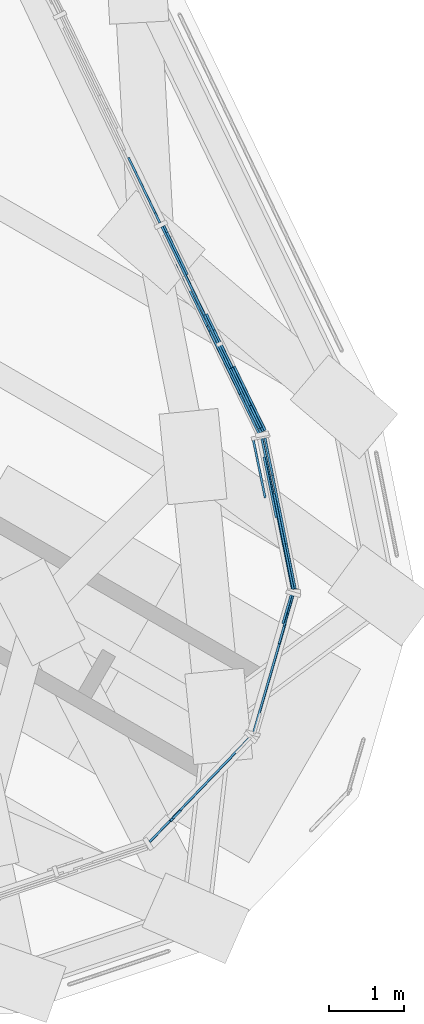
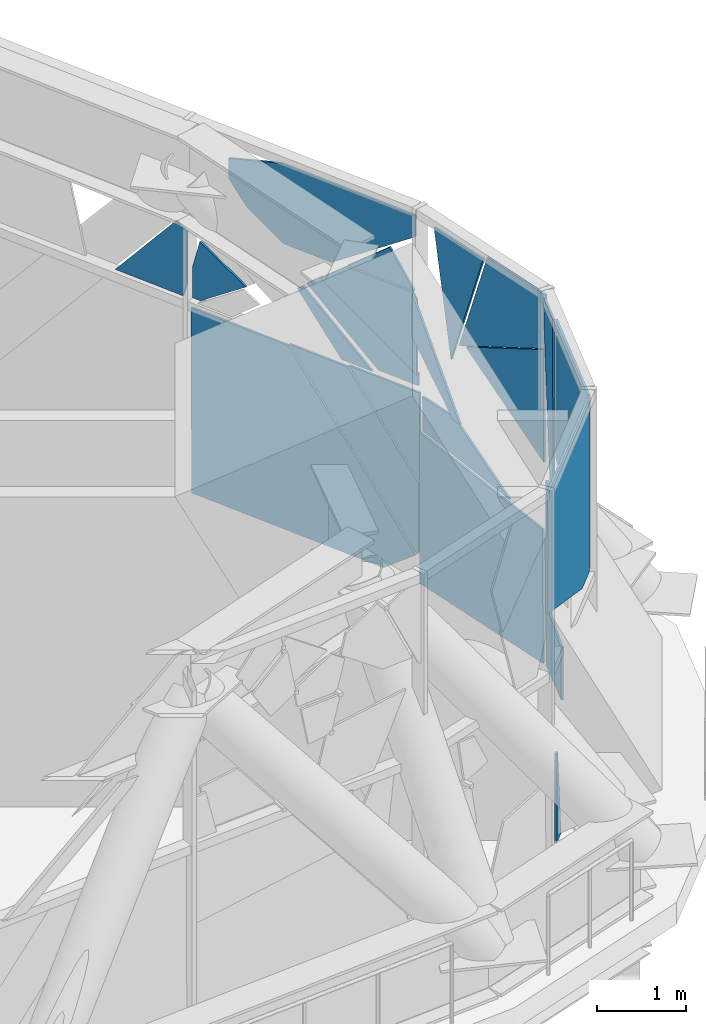
# One storey, part 21 of 43: 22 plates, 2 elements without a shape of their own.
"""IFC4 building model written with IfcOpenShell, lengths in metres."""

from ifc_helpers import new_model, si_unit, direction, frame, origin, place, context, subcontext, project, spatial, polyline, outline, extrude, material, layer, layer_set, type_object, element, aggregate, save


model = new_model("IFC4")

# Units and contexts
model_context = context("Model", 3, precision=1e-05, world=origin(), true_north=direction((0.0, 1.0)))
body_context = subcontext(model_context, "Body", "Model", "MODEL_VIEW")
ifc_project = project(units=[si_unit("LENGTHUNIT", "METRE"), si_unit("AREAUNIT", "SQUARE_METRE"), si_unit("VOLUMEUNIT", "CUBIC_METRE"), si_unit("PLANEANGLEUNIT", "RADIAN"), si_unit("MASSUNIT", "GRAM", prefix="KILO")], contexts=[model_context])

# Site, building, storey
site_placement = place(None, origin())
site = spatial("IfcSite", under=ifc_project, at=site_placement, CompositionType="ELEMENT")
building_placement = place(site_placement, origin())
building = spatial("IfcBuilding", under=site, at=building_placement, Name="Mestral Congress Tower", CompositionType="ELEMENT")
storey_placement = place(building_placement, frame((0.0, 0.0, 78.300048828125)))
storey = spatial("IfcBuildingStorey", under=building, at=storey_placement, Name="L18", CompositionType="ELEMENT", Elevation=78.300048828125)

# Curtain wall, plates
ifc_material_1 = material(Name="Clear low-emissivity double glazing", Category="glass")
curtain_wall_type = type_object("IfcCurtainWallType", Name="Facade refuge band screen", PredefinedType="USERDEFINED", material=ifc_material_1)
placement = place(storey_placement, origin())
curtain_wall_1 = element("IfcCurtainWall", 1, at=placement, inside=storey, type_object=curtain_wall_type, Name="Facade refuge band screen face 2", ObjectType="CURTAIN WALL", PredefinedType="USERDEFINED")
ifc_material_2 = material(Name="Anodised aluminium", Category="aluminium")
ifc_layer_1 = layer(ifc_material_2, 0.028076171875)
ifc_layer_set_1 = layer_set([ifc_layer_1], Name="Anodised aluminium")
plate_type_1 = type_object("IfcPlateType", Name="Facade refuge band screen brace cover panel", PredefinedType="CURTAIN_PANEL", material=ifc_layer_set_1)
plate_1_placement = place(storey_placement, frame((31.370849609375, -12.796142578125, 2.5400390625), z_axis=(0.900614100847, 0.434614930329, 0.00202575677), x_axis=(0.270362982994, -0.556587756947, -0.785565991017)))
plate_1 = element("IfcPlate", 2, at=plate_1_placement, type_object=plate_type_1, Name="Facade refuge band screen brace cover panel", PredefinedType="CURTAIN_PANEL", context=body_context, shape_type="SweptSolid", body=[
    extrude(outline(polyline([(0.0, 0.0), (2.7954940575134257, 0.0), (2.795541072700712, -0.023733107705538936), (2.038057709817049, -0.620561641929658), (0.48864025636645086, -0.6203536331985541), (0.0, 0.0)])), origin(), (0.0, 0.0, -1.0), 0.028076171875),
])
plate_2_placement = place(storey_placement, frame((30.72509765625, -11.527587890625, 2.659912109375), z_axis=(0.900653975974, 0.434532598028, 0.00195877856), x_axis=(0.106030847418, -0.224136728928, 0.968772515166)))
plate_2 = element("IfcPlate", 3, at=plate_2_placement, type_object=plate_type_1, Name="Facade refuge band screen brace cover panel", PredefinedType="CURTAIN_PANEL", context=body_context, shape_type="SweptSolid", body=[
    extrude(outline(polyline([(0.0, 0.0), (0.1990883694465336, 1.3877787807814457e-17), (0.8840208213853891, -0.17539226869385943), (0.9330294446731628, -0.3413363772013345), (-0.22866596759639354, -0.8934519051995632), (0.0, 0.0)])), origin(), (0.0, 0.0, -1.0), 0.028076171875),
])

curtain_wall_2 = element("IfcCurtainWall", 4, at=placement, inside=storey, type_object=curtain_wall_type, Name="Facade refuge band screen corner 1", ObjectType="CURTAIN WALL", PredefinedType="USERDEFINED")
plate_3_placement = place(storey_placement, frame((30.881103515625, -19.619140625, 0.0), z_axis=(0.721189819839, -0.692734711301, 0.001965583924), x_axis=(0.003051765926, 0.006014483855, 0.999977256096)))
plate_3 = element("IfcPlate", 5, at=plate_3_placement, type_object=plate_type_1, Name="Facade refuge band screen brace cover panel", PredefinedType="CURTAIN_PANEL", context=body_context, shape_type="SweptSolid", body=[
    extrude(outline(polyline([(0.0, 0.0), (1.2119417261385765, 1.734723475976807e-18), (1.2122346017833838, -0.04540983994991307), (0.0013123959317952255, -0.20340021420830895), (0.0, 0.0)])), origin(), (0.0, 0.0, -1.0), 0.028076171875),
])
plate_4_placement = place(storey_placement, frame((31.954833984375, -18.4853515625, 5.030029296875), z_axis=(0.721659714828, -0.69224515065, 0.001976713572), x_axis=(0.001448612169, -0.001345339384, -0.99999804579)))
plate_4 = element("IfcPlate", 6, at=plate_4_placement, type_object=plate_type_1, Name="Facade refuge band screen brace cover panel", PredefinedType="CURTAIN_PANEL", context=body_context, shape_type="SweptSolid", body=[
    extrude(outline(polyline([(0.0, 0.0), (2.370121776981465, -4.472333961502706e-19), (2.370110535374664, -0.3501757912437114), (1.629335446386395, -1.9523360574497166), (-6.239340404271551e-05, -1.9523884247782881), (0.0, 0.0)])), origin(), (0.0, 0.0, -1.0), 0.028076171875),
])
plate_5_placement = place(storey_placement, frame((32.540283203125, -16.558837890625, 0.0), z_axis=(0.960307295236, -0.278936140608, 0.002127951713), x_axis=(-0.278936772044, -0.960309469495, -5.0359e-08)))
plate_5 = element("IfcPlate", 7, at=plate_5_placement, type_object=plate_type_1, Name="Facade refuge band screen brace cover panel", PredefinedType="CURTAIN_PANEL", context=body_context, shape_type="SweptSolid", body=[
    extrude(outline(polyline([(0.0, 0.0), (0.6993852127548246, 1.0842021724855044e-19), (0.6993248743121645, -0.717286815470427), (7.755023457432976e-06, -0.8430194515785678), (0.0, 0.0)])), origin(), (0.0, 0.0, -1.0), 0.028076171875),
])
plate_6_placement = place(storey_placement, frame((32.535400390625, -16.5576171875, 2.5400390625), z_axis=(0.960347124551, -0.278800164999, 0.00196681545), x_axis=(0.001922610601, -0.000431987082, -0.999998058476)))
plate_6 = element("IfcPlate", 8, at=plate_6_placement, type_object=plate_type_1, Name="Facade refuge band screen brace cover panel", PredefinedType="CURTAIN_PANEL", context=body_context, shape_type="SweptSolid", body=[
    extrude(outline(polyline([(0.0, 0.0), (1.1857931488005824, -8.131516293641283e-20), (1.3820281304560522, -0.45087433112174785), (-3.408633164509402e-05, -0.27992198390823203), (0.0, 0.0)])), origin(), (0.0, 0.0, -1.0), 0.028076171875),
])
plate_7_placement = place(storey_placement, frame((32.51318359375, -16.551025390625, 5.030029296875), z_axis=(0.960382200774, -0.278679164733, 0.001987858345), x_axis=(0.00178924132, -0.000967057289, -0.999997931706)))
plate_7 = element("IfcPlate", 9, at=plate_7_placement, type_object=plate_type_1, Name="Facade refuge band screen brace cover panel", PredefinedType="CURTAIN_PANEL", context=body_context, shape_type="SweptSolid", body=[
    extrude(outline(polyline([(0.0, 0.0), (0.2287604022334422, 0.0), (2.3702356573492804, -0.2640263303392333), (2.3702971416903584, -0.40688780559538096), (0.00018184445739221928, -0.42248091647076175), (0.0, 0.0)])), origin(), (0.0, 0.0, -1.0), 0.028076171875),
])
plate_8_placement = place(storey_placement, frame((32.42431640625, -16.965087890625, 5.030029296875), z_axis=(0.960350738449, -0.27878768683, 0.001970997722), x_axis=(0.003613656519, 0.005378362935, -0.999979007129)))
plate_8 = element("IfcPlate", 10, at=plate_8_placement, type_object=plate_type_1, Name="Facade refuge band screen brace cover panel", PredefinedType="CURTAIN_PANEL", context=body_context, shape_type="SweptSolid", body=[
    extrude(outline(polyline([(0.0, 0.0), (1.9040926148009958, 0.0), (2.3619709133706057, -1.3278050870489533), (2.3606320631751956, -1.5446760158553452), (-0.009443370625600564, -1.5298646548404253), (0.0, 0.0)])), origin(), (0.0, 0.0, -1.0), 0.028076171875),
])
plate_9_placement = place(storey_placement, frame((32.11328125, -14.44580078125, 0.0), z_axis=(0.98018636799, 0.198067026029, 0.002034012242), x_axis=(0.198067435762, -0.980188395611, -4.639e-09)))
plate_9 = element("IfcPlate", 11, at=plate_9_placement, type_object=plate_type_1, Name="Facade refuge band screen brace cover panel", PredefinedType="CURTAIN_PANEL", context=body_context, shape_type="SweptSolid", body=[
    extrude(outline(polyline([(0.0, 0.0), (2.090489154154378, -1.0842021724855044e-19), (2.0904817124560937, -1.8337440373657508), (-0.00010415542681375278, -2.0737347487890423), (0.0, 0.0)])), origin(), (0.0, 0.0, -1.0), 0.028076171875),
])
plate_10_placement = place(storey_placement, frame((32.1513671875, -14.43798828125, 2.5400390625), z_axis=(0.980165985299, 0.198168331185, 0.001988411018), x_axis=(0.002031218952, -1.2740732e-05, -0.999997936991)))
plate_10 = element("IfcPlate", 12, at=plate_10_placement, type_object=plate_type_1, Name="Facade refuge band screen brace cover panel", PredefinedType="CURTAIN_PANEL", context=body_context, shape_type="SweptSolid", body=[
    extrude(outline(polyline([(0.0, 0.0), (0.4663096153636622, 2.710505431213761e-20), (0.6366005257042052, -1.476789337906905), (0.00022189712823535482, -0.5345325683179544), (0.0, 0.0)])), origin(), (0.0, 0.0, -1.0), 0.028076171875),
])
plate_11_placement = place(storey_placement, frame((31.99658203125, -14.46923828125, 3.4423828125), z_axis=(0.980082499713, 0.198583714825, 0.001673906569), x_axis=(0.133677254876, -0.653465358469, -0.745059337777)))
plate_11 = element("IfcPlate", 13, at=plate_11_placement, type_object=plate_type_1, Name="Facade refuge band screen brace cover panel", PredefinedType="CURTAIN_PANEL", context=body_context, shape_type="SweptSolid", body=[
    extrude(outline(polyline([(0.0, 0.0), (1.050212578561451, 0.0), (1.1239844467497444, -0.08240588729443221), (-0.4436232833252166, -0.3972037232520283), (0.0, 0.0)])), origin(), (0.0, 0.0, -1.0), 0.028076171875),
])
plate_12_placement = place(storey_placement, frame((32.143310546875, -14.716064453125, 5.030029296875), z_axis=(0.980182293736, 0.198087662351, 0.001987227019), x_axis=(0.035126242938, -0.163922467043, -0.985847641299)))
plate_12 = element("IfcPlate", 14, at=plate_12_placement, type_object=plate_type_1, Name="Facade refuge band screen brace cover panel", PredefinedType="CURTAIN_PANEL", context=body_context, shape_type="SweptSolid", body=[
    extrude(outline(polyline([(0.0, 0.0), (1.688941569414704, -5.551115123125783e-17), (0.1396645489465121, -0.8213705414892912), (0.0, 0.0)])), origin(), (0.0, 0.0, -1.0), 0.028076171875),
])
plate_13_placement = place(storey_placement, frame((32.5625, -16.48779296875, 5.030029296875), z_axis=(0.980194922902, 0.198024153331, 0.002085141278), x_axis=(-0.198024583798, 0.980197053766, -1.0172e-08)))
plate_13 = element("IfcPlate", 15, at=plate_13_placement, type_object=plate_type_1, Name="Facade refuge band screen brace cover panel", PredefinedType="CURTAIN_PANEL", context=body_context, shape_type="SweptSolid", body=[
    extrude(outline(polyline([(0.0, 0.0), (0.986328124988263, -1.0842021724855044e-19), (1.4699102722947188, -1.4641144960250658), (0.0001885442215780177, -0.7326676184092806), (0.0, 0.0)])), origin(), (0.0, 0.0, -1.0), 0.028076171875),
])
plate_14_placement = place(storey_placement, frame((32.53466796875, -16.493408203125, 4.29736328125), z_axis=(0.980165769484, 0.198169775274, 0.001950512796), x_axis=(-0.176575083925, 0.877740496923, -0.445413133841)))
plate_14 = element("IfcPlate", 16, at=plate_14_placement, type_object=plate_type_1, Name="Facade refuge band screen brace cover panel", PredefinedType="CURTAIN_PANEL", context=body_context, shape_type="SweptSolid", body=[
    extrude(outline(polyline([(0.0, 0.0), (1.4738993773335036, -1.1102230246251565e-16), (0.6890152644943648, -1.38467833808992), (0.0, 0.0)])), origin(), (0.0, 0.0, -1.0), 0.028076171875),
])
aggregate(curtain_wall_2, [plate_3, plate_4, plate_5, plate_6, plate_7, plate_8, plate_9, plate_10, plate_11, plate_12, plate_13, plate_14])

# Plate
ifc_layer_2 = layer(ifc_material_1, 0.028076171875)
ifc_layer_set_2 = layer_set([ifc_layer_2], Name="Clear low-emissivity double glazing")
plate_type_2 = type_object("IfcPlateType", Name="Facade refuge band screen panel", PredefinedType="CURTAIN_PANEL", material=ifc_layer_set_2)
plate_15_placement = place(storey_placement, frame((30.772705078125, -11.6259765625, 2.5400390625), z_axis=(0.900569720288, 0.43470723342, 0.001949387884), x_axis=(0.001762010535, 0.000834057539, -0.999998099832)))
plate_15 = element("IfcPlate", 17, at=plate_15_placement, type_object=plate_type_2, Name="Refuge screen glass unit", PredefinedType="CURTAIN_PANEL", context=body_context, shape_type="SweptSolid", body=[
    extrude(outline(polyline([(0.0, 0.0), (2.540044242032819, 6.776263578034403e-20), (2.540082619376886, -2.6067810027021796), (2.1960942733684736, -3.043460883395966), (1.9839311428980705e-05, -1.3138149450809427), (0.0, 0.0)])), origin(), (0.0, 0.0, -1.0), 0.028076171875),
])

plate_16_placement = place(storey_placement, frame((32.157958984375, -14.357666015625, 2.5400390625), z_axis=(0.900553318809, 0.43474109593, 0.00197471299), x_axis=(-0.434741943567, 0.900555074664, 0.0)))
plate_16 = element("IfcPlate", 18, at=plate_16_placement, type_object=plate_type_2, Name="Refuge screen glass unit", PredefinedType="CURTAIN_PANEL", context=body_context, shape_type="SweptSolid", body=[
    extrude(outline(polyline([(0.0, 0.0), (0.9586101664262119, -1.0842021724855044e-19), (-7.579521324301952e-05, -1.2170433885524217), (0.0, 0.0)])), origin(), (0.0, 0.0, -1.0), 0.028076171875),
])

plate_17_placement = place(storey_placement, frame((31.11376953125, -12.26611328125, 3.091552734375), z_axis=(0.900616967953, 0.434607962976, 0.002235073507), x_axis=(-0.374213158962, 0.772827870545, 0.512544236305)))
plate_17 = element("IfcPlate", 19, at=plate_17_placement, type_object=plate_type_2, Name="Refuge screen glass unit", PredefinedType="CURTAIN_PANEL", context=body_context, shape_type="SweptSolid", body=[
    extrude(outline(polyline([(0.0, 0.0), (0.7306915188228826, 0.0), (0.6198793496512449, -0.37570091659011995), (0.40106168933224245, -0.7420909038002965), (0.3058027038519518, -0.6852299192372882), (0.0, 0.0)])), origin(), (0.0, 0.0, -1.0), 0.028076171875),
])

plate_18_placement = place(storey_placement, frame((31.58154296875, -13.376953125, 3.93798828125), z_axis=(0.900588828881, 0.434667445715, 0.001993221421), x_axis=(0.354512695791, -0.737153883236, 0.575260724327)))
plate_18 = element("IfcPlate", 20, at=plate_18_placement, type_object=plate_type_2, Name="Refuge screen glass unit", PredefinedType="CURTAIN_PANEL", context=body_context, shape_type="SweptSolid", body=[
    extrude(outline(polyline([(0.0, 0.0), (1.3860899862357239, -1.1102230246251565e-16), (1.5556133804629373, -0.24103336334885583), (0.07187982574248719, -1.2845145712990684), (-0.6350719346312549, -1.5220289757879097), (-0.7935002123492265, -1.2967718445553877), (-0.7680926537533548, -0.9308844928213136), (-0.5343845517097064, -0.37582214063995056), (0.0, 0.0)])), origin(), (0.0, 0.0, -1.0), 0.028076171875),
])

plate_19_placement = place(storey_placement, frame((32.1015625, -14.385009765625, 3.859130859375), z_axis=(0.900560097304, 0.434726772181, 0.002035851985), x_axis=(-0.251282663725, 0.516712808651, 0.818452745299)))
plate_19 = element("IfcPlate", 21, at=plate_19_placement, type_object=plate_type_2, Name="Refuge screen glass unit", PredefinedType="CURTAIN_PANEL", context=body_context, shape_type="SweptSolid", body=[
    extrude(outline(polyline([(0.0, 0.0), (0.09634927573367072, 0.0), (0.6106877181516717, -0.7326548949948632), (0.5721396017612516, -1.198259215472937), (-0.8510091924566364, -0.5974626330161515), (0.0, 0.0)])), origin(), (0.0, 0.0, -1.0), 0.028076171875),
])

plate_20_placement = place(storey_placement, frame((32.13037109375, -14.37109375, 2.8193359375), z_axis=(0.900577085351, 0.43469218497, 0.001902016576), x_axis=(-0.369385991003, 0.762957133102, 0.530518993722)))
plate_20 = element("IfcPlate", 22, at=plate_20_placement, type_object=plate_type_2, Name="Refuge screen glass unit", PredefinedType="CURTAIN_PANEL", context=body_context, shape_type="SweptSolid", body=[
    extrude(outline(polyline([(0.0, 0.0), (1.5448643460728242, 2.220446049250313e-16), (1.627770853511434, -0.2526325572582411), (0.3750821327546435, -0.4228200035093718), (-0.08448128216757961, -0.13519981001583467), (0.0, 0.0)])), origin(), (0.0, 0.0, -1.0), 0.028076171875),
])

plate_21_placement = place(storey_placement, frame((31.958984375, -14.0234375, 4.406494140625), z_axis=(0.900663752488, 0.434511616509, 0.002111888548), x_axis=(-0.332728615411, 0.692795654132, -0.639785784542)))
plate_21 = element("IfcPlate", 23, at=plate_21_placement, type_object=plate_type_2, Name="Refuge screen glass unit", PredefinedType="CURTAIN_PANEL", context=body_context, shape_type="SweptSolid", body=[
    extrude(outline(polyline([(0.0, 0.0), (0.7322855097664253, 5.551115123125783e-17), (0.04438318205811148, -0.5726496800634111), (0.0, 0.0)])), origin(), (0.0, 0.0, -1.0), 0.028076171875),
])

plate_22_placement = place(storey_placement, frame((31.64208984375, -13.49658203125, 2.659912109375), z_axis=(0.900455506667, 0.43494511302, 0.00162147257), x_axis=(0.434945684753, -0.900456690416, 2.806e-08)))
plate_22 = element("IfcPlate", 24, at=plate_22_placement, type_object=plate_type_2, Name="Refuge screen glass unit", PredefinedType="CURTAIN_PANEL", context=body_context, shape_type="SweptSolid", body=[
    extrude(outline(polyline([(0.0, 0.0), (0.4148250970138631, -5.421010862427522e-20), (-0.5260751487431331, -0.7988291898924063), (-0.5992358549064912, -0.737793967099017), (0.0, 0.0)])), origin(), (0.0, 0.0, -1.0), 0.028076171875),
])

aggregate(curtain_wall_1, [plate_15, plate_16, plate_1, plate_17, plate_18, plate_19, plate_20, plate_21, plate_22, plate_2])

save(model, "model.ifc")
